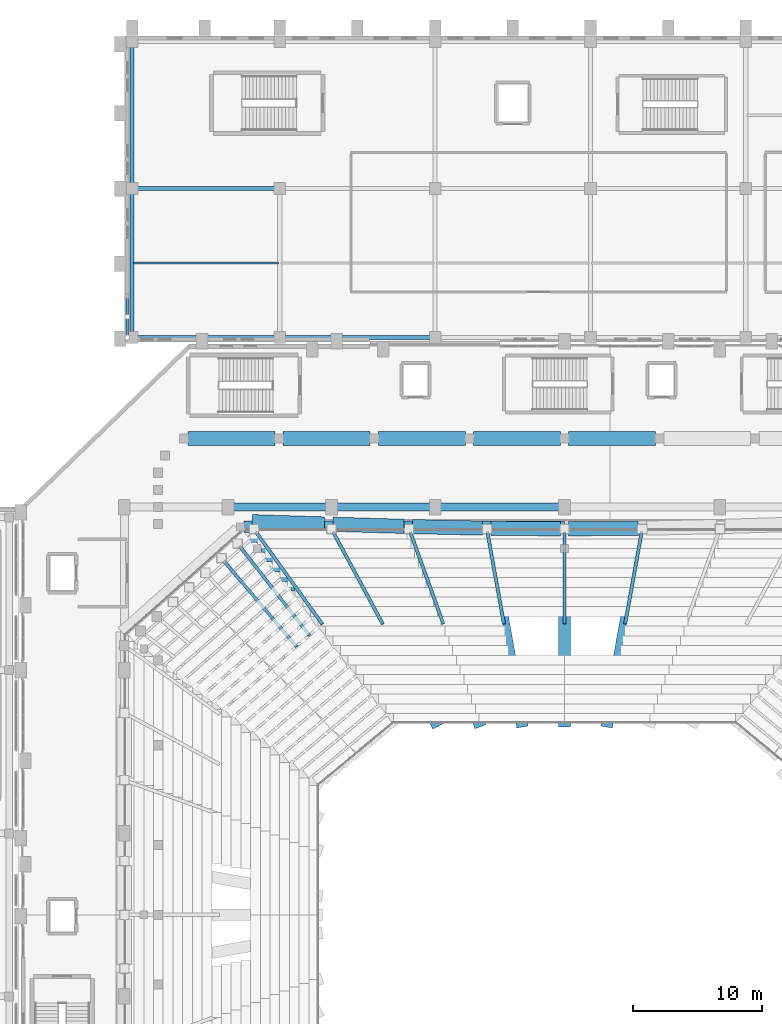
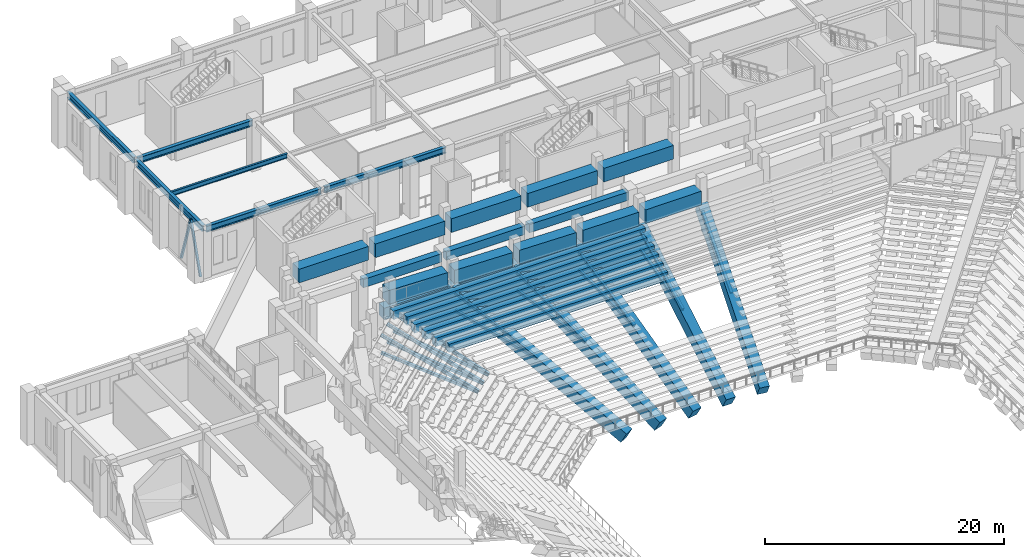
# One storey, part 49 of 159: 31 beams, 18 members.
"""IFC4 building model written with IfcOpenShell, lengths in metres."""

from ifc_helpers import new_model, si_unit, derived_unit, direction, frame, origin, origin_2d, place, context, subcontext, project, spatial, rectangle, hollow_rectangle, i_section, extrude, material, material_profile, profile_set, type_object, element, save


model = new_model("IFC4")

# Units and contexts
model_context = context("Model", 3, precision=1e-05, world=origin(), true_north=direction((0.0, 1.0)))
body_context = subcontext(model_context, "Body", "Model", "MODEL_VIEW")
ifc_project = project(units=[si_unit("LENGTHUNIT", "METRE"), si_unit("AREAUNIT", "SQUARE_METRE"), si_unit("VOLUMEUNIT", "CUBIC_METRE"), si_unit("PLANEANGLEUNIT", "RADIAN"), si_unit("MASSUNIT", "GRAM", prefix="KILO"), derived_unit("THERMALTRANSMITTANCEUNIT", [(si_unit("MASSUNIT", "GRAM", prefix="KILO"), 1), (si_unit("TIMEUNIT", "SECOND"), -3), (si_unit("THERMODYNAMICTEMPERATUREUNIT", "KELVIN"), -1)])], contexts=[model_context])

# Site, building, storey
site_placement = place(None, origin())
site = spatial("IfcSite", under=ifc_project, at=site_placement, CompositionType="ELEMENT")
building_placement = place(site_placement, origin())
building = spatial("IfcBuilding", under=site, at=building_placement, Name="Valcora Ridge Arena", CompositionType="ELEMENT")
storey_placement = place(building_placement, frame((0.0, 0.0, 6.0)))
storey = spatial("IfcBuildingStorey", under=building, at=storey_placement, Name="L01", CompositionType="ELEMENT", Elevation=6.0)

# Beams
ifc_material_1 = material(Name="Concrete C40/50", Category="concrete")
ifc_material_profile_1 = material_profile(ifc_material_1, rectangle(XDim=0.60009765625, YDim=0.85009765625, at=origin_2d()), Name="RC 600x850")
ifc_profile_set_1 = profile_set([ifc_material_profile_1], Name="Concrete C40/50")
beam_type_1 = type_object("IfcBeamType", Name="TY-BEAM-B-RC600-X", PredefinedType="BEAM", material=ifc_profile_set_1)
beam_1_placement = place(storey_placement, frame((58.0, 89.39990234375, 0.135009765625), z_axis=(-1.0, 0.0, 0.0), x_axis=(0.0, -1.0, 0.0)))
element("IfcBeam", 1, at=beam_1_placement, inside=storey, type_object=beam_type_1, Name="B-RC600-X BEM-R2-B-RC600-X-0164", PredefinedType="BEAM", context=body_context, shape_type="SweptSolid", body=[
    extrude(rectangle(XDim=0.60009765625, YDim=0.85009765625, at=origin_2d()), origin(), (0.0, 0.0, 1.0), 21.110107421875),
])
beam_2_placement = place(storey_placement, frame((58.0, 90.14990234375, 0.574951171875), z_axis=(-1.0, 0.0, 0.0), x_axis=(0.0, -1.0, 0.0)))
element("IfcBeam", 2, at=beam_2_placement, inside=storey, type_object=beam_type_1, Name="B-RC600-X BEM-R2-B-RC600-X-0176", PredefinedType="BEAM", context=body_context, shape_type="SweptSolid", body=[
    extrude(rectangle(XDim=0.60009765625, YDim=0.85009765625, at=origin_2d()), origin(), (0.0, 0.0, 1.0), 21.97509765625),
])
beam_3_placement = place(storey_placement, frame((58.0, 90.89990234375, 1.014892578125), z_axis=(-1.0, 0.0, 0.0), x_axis=(0.0, -1.0, 0.0)))
element("IfcBeam", 3, at=beam_3_placement, inside=storey, type_object=beam_type_1, Name="B-RC600-X BEM-R2-B-RC600-X-0188", PredefinedType="BEAM", context=body_context, shape_type="SweptSolid", body=[
    extrude(rectangle(XDim=0.60009765625, YDim=0.85009765625, at=origin_2d()), origin(), (0.0, 0.0, 1.0), 22.56005859375),
])
beam_4_placement = place(storey_placement, frame((58.0, 91.64990234375, 1.455078125), z_axis=(-1.0, 0.0, 0.0), x_axis=(0.0, -1.0, 0.0)))
element("IfcBeam", 4, at=beam_4_placement, inside=storey, type_object=beam_type_1, Name="B-RC600-X BEM-R2-B-RC600-X-0200", PredefinedType="BEAM", context=body_context, shape_type="SweptSolid", body=[
    extrude(rectangle(XDim=0.60009765625, YDim=0.85009765625, at=origin_2d()), origin(), (0.0, 0.0, 1.0), 23.14501953125),
])
beam_5_placement = place(storey_placement, frame((57.719970703125, 92.39990234375, 1.89501953125), z_axis=(-1.0, 0.0, 0.0), x_axis=(0.0, -1.0, 0.0)))
element("IfcBeam", 5, at=beam_5_placement, inside=storey, type_object=beam_type_1, Name="B-RC600-X BEM-R2-B-RC600-X-0212", PredefinedType="BEAM", context=body_context, shape_type="SweptSolid", body=[
    extrude(rectangle(XDim=0.60009765625, YDim=0.85009765625, at=origin_2d()), origin(), (0.0, 0.0, 1.0), 23.169921875),
])
beam_6_placement = place(storey_placement, frame((58.0, 93.14990234375, 2.3349609375), z_axis=(-1.0, 0.0, 0.0), x_axis=(0.0, -1.0, 0.0)))
element("IfcBeam", 6, at=beam_6_placement, inside=storey, type_object=beam_type_1, Name="B-RC600-X BEM-R2-B-RC600-X-0224", PredefinedType="BEAM", context=body_context, shape_type="SweptSolid", body=[
    extrude(rectangle(XDim=0.60009765625, YDim=0.85009765625, at=origin_2d()), origin(), (0.0, 0.0, 1.0), 24.31494140625),
])
ifc_material_profile_2 = material_profile(ifc_material_1, rectangle(XDim=0.60009765625, YDim=0.85009765625, at=origin_2d()), Name="RC 600x850")
ifc_profile_set_2 = profile_set([ifc_material_profile_2], Name="Concrete C40/50")
beam_type_2 = type_object("IfcBeamType", Name="TY-BEAM-EB-RC600", PredefinedType="BEAM", material=ifc_profile_set_2)
for number, where, z_axis, x_axis, name in (
    (7, (32.199951171875, 95.60009765625, 4.614990234375), (1.0, 0.0, 0.0), (0.0, 1.0, 0.0), "EB-RC600 BEM-EB-RC600-0025"),
    (8, (40.199951171875, 95.60009765625, 4.614990234375), (1.0, 0.0, 0.0), (0.0, 1.0, 0.0), "EB-RC600 BEM-EB-RC600-0026"),
):
    element("IfcBeam", number, at=place(storey_placement, frame(where, z_axis=z_axis, x_axis=x_axis)), inside=storey, type_object=beam_type_2, Name=name, PredefinedType="BEAM", context=body_context, shape_type="SweptSolid", body=[
        extrude(rectangle(XDim=0.60009765625, YDim=0.85009765625, at=origin_2d()), origin(), (0.0, 0.0, 1.0), 7.60009765625),
    ])
beam_7_placement = place(storey_placement, frame((48.199951171875, 95.60009765625, 4.614990234375), z_axis=(1.0, 0.0, 0.0), x_axis=(0.0, 1.0, 0.0)))
element("IfcBeam", 9, at=beam_7_placement, inside=storey, type_object=beam_type_2, Name="EB-RC600 BEM-EB-RC600-0027", PredefinedType="BEAM", context=body_context, shape_type="SweptSolid", body=[
    extrude(rectangle(XDim=0.60009765625, YDim=0.85009765625, at=origin_2d()), origin(), (0.0, 0.0, 1.0), 9.60009765625),
])
ifc_material_2 = material(Name="Steel ASTM A572 Grade 50", Category="steel")
ifc_material_profile_3 = material_profile(ifc_material_2, i_section(OverallWidth=0.324951171875, OverallDepth=0.612060546875, WebThickness=0.0126953125, FlangeThickness=0.01904296875, FilletRadius=0.01806640625, at=origin_2d()), Name="W24X104")
ifc_profile_set_3 = profile_set([ifc_material_profile_3], Name="Steel ASTM A572 Grade 50")
beam_type_3 = type_object("IfcBeamType", Name="TY-BEAM-G-W24X104-X", PredefinedType="BEAM", material=ifc_profile_set_3)
beam_8_placement = place(storey_placement, frame((24.739990234375, 108.699951171875, 4.73388671875), z_axis=(1.0, 0.0, 0.0), x_axis=(0.0, 1.0, 0.0)))
element("IfcBeam", 10, at=beam_8_placement, inside=storey, type_object=beam_type_3, Name="G-W24X104-X BEM-G-W24X104-X-0035", PredefinedType="BEAM", context=body_context, shape_type="SweptSolid", body=[
    extrude(i_section(OverallWidth=0.324951171875, OverallDepth=0.612060546875, WebThickness=0.0126953125, FlangeThickness=0.01904296875, FilletRadius=0.01806640625, at=origin_2d()), origin(), (0.0, 0.0, 1.0), 11.1201171875),
])
beam_9_placement = place(storey_placement, frame((36.139892578125, 108.699951171875, 4.73388671875), z_axis=(1.0, 0.0, 0.0), x_axis=(0.0, 1.0, 0.0)))
element("IfcBeam", 11, at=beam_9_placement, inside=storey, type_object=beam_type_3, Name="G-W24X104-X BEM-G-W24X104-X-0036", PredefinedType="BEAM", context=body_context, shape_type="SweptSolid", body=[
    extrude(i_section(OverallWidth=0.324951171875, OverallDepth=0.612060546875, WebThickness=0.0126953125, FlangeThickness=0.01904296875, FilletRadius=0.01806640625, at=origin_2d()), origin(), (0.0, 0.0, 1.0), 11.72021484375),
])
beam_10_placement = place(storey_placement, frame((24.739990234375, 120.199951171875, 4.73388671875), z_axis=(1.0, 0.0, 0.0), x_axis=(0.0, 1.0, 0.0)))
element("IfcBeam", 12, at=beam_10_placement, inside=storey, type_object=beam_type_3, Name="G-W24X104-X BEM-G-W24X104-X-0049", PredefinedType="BEAM", context=body_context, shape_type="SweptSolid", body=[
    extrude(i_section(OverallWidth=0.324951171875, OverallDepth=0.612060546875, WebThickness=0.0126953125, FlangeThickness=0.01904296875, FilletRadius=0.01806640625, at=origin_2d()), origin(), (0.0, 0.0, 1.0), 11.1201171875),
])
ifc_material_profile_4 = material_profile(ifc_material_2, i_section(OverallWidth=0.324951171875, OverallDepth=0.612060546875, WebThickness=0.0126953125, FlangeThickness=0.01904296875, FilletRadius=0.01806640625, at=origin_2d()), Name="W24X104")
ifc_profile_set_4 = profile_set([ifc_material_profile_4], Name="Steel ASTM A572 Grade 50")
beam_type_4 = type_object("IfcBeamType", Name="TY-BEAM-G-W24X104-Y", PredefinedType="BEAM", material=ifc_profile_set_4)
beam_11_placement = place(storey_placement, frame((24.60009765625, 108.840087890625, 4.73388671875), z_axis=(0.0, 1.0, 0.0), x_axis=(-1.0, 0.0, 0.0)))
element("IfcBeam", 13, at=beam_11_placement, inside=storey, type_object=beam_type_4, Name="G-W24X104-Y BEM-G-W24X104-Y-0037", PredefinedType="BEAM", context=body_context, shape_type="SweptSolid", body=[
    extrude(i_section(OverallWidth=0.324951171875, OverallDepth=0.612060546875, WebThickness=0.0126953125, FlangeThickness=0.01904296875, FilletRadius=0.01806640625, at=origin_2d()), origin(), (0.0, 0.0, 1.0), 11.219970703125),
])
beam_12_placement = place(storey_placement, frame((24.60009765625, 120.340087890625, 4.73388671875), z_axis=(0.0, 1.0, 0.0), x_axis=(-1.0, 0.0, 0.0)))
element("IfcBeam", 14, at=beam_12_placement, inside=storey, type_object=beam_type_4, Name="G-W24X104-Y BEM-G-W24X104-Y-0038", PredefinedType="BEAM", context=body_context, shape_type="SweptSolid", body=[
    extrude(i_section(OverallWidth=0.324951171875, OverallDepth=0.612060546875, WebThickness=0.0126953125, FlangeThickness=0.01904296875, FilletRadius=0.01806640625, at=origin_2d()), origin(), (0.0, 0.0, 1.0), 11.06982421875),
])
ifc_material_profile_5 = material_profile(ifc_material_2, i_section(OverallWidth=0.18994140625, OverallDepth=0.45703125, WebThickness=0.009033203125, FlangeThickness=0.014404296875, FilletRadius=0.014892578125, at=origin_2d()), Name="W18X50")
ifc_profile_set_5 = profile_set([ifc_material_profile_5], Name="Steel ASTM A572 Grade 50")
beam_type_5 = type_object("IfcBeamType", Name="TY-BEAM-J-W18X50", PredefinedType="JOIST", material=ifc_profile_set_5)
beam_13_placement = place(storey_placement, frame((24.699951171875, 114.449951171875, 4.8115234375), z_axis=(1.0, 0.0, 0.0), x_axis=(0.0, 1.0, 0.0)))
element("IfcBeam", 15, at=beam_13_placement, inside=storey, type_object=beam_type_5, Name="J-W18X50 BEM-J-W18X50-0027", PredefinedType="JOIST", context=body_context, shape_type="SweptSolid", body=[
    extrude(i_section(OverallWidth=0.18994140625, OverallDepth=0.45703125, WebThickness=0.009033203125, FlangeThickness=0.014404296875, FilletRadius=0.014892578125, at=origin_2d()), origin(), (0.0, 0.0, 1.0), 11.199951171875),
])
ifc_material_profile_6 = material_profile(ifc_material_1, rectangle(XDim=0.89990234375, YDim=1.199951171875, at=origin_2d()), Name="RC 900x1200")
ifc_profile_set_6 = profile_set([ifc_material_profile_6], Name="Concrete C40/50")
beam_type_6 = type_object("IfcBeamType", Name="TY-BEAM-RKR-LOW-1200", PredefinedType="USERDEFINED", material=ifc_profile_set_6)
beam_14_placement = place(storey_placement, frame((61.300048828125, 78.89990234375, -6.489990234375), z_axis=(0.15341359823, 0.852313181593, 0.500026507658), x_axis=(-0.984183882541, 0.177149895134, 0.0)))
element("IfcBeam", 16, at=beam_14_placement, inside=storey, type_object=beam_type_6, Name="RKR-LOW-1200 BEM-RK-RKR-LOW-1200-0034", ObjectType="RAKER", PredefinedType="USERDEFINED", context=body_context, shape_type="SweptSolid", body=[
    extrude(rectangle(XDim=0.89990234375, YDim=1.199951171875, at=origin_2d()), origin(), (0.0, 0.0, 1.0), 17.59912109375),
])
beam_15_placement = place(storey_placement, frame((58.0, 78.89990234375, -6.489990234375), z_axis=(0.0, 0.862523680345, 0.506016700163), x_axis=(-1.0, 0.0, 0.0)))
element("IfcBeam", 17, at=beam_15_placement, inside=storey, type_object=beam_type_6, Name="RKR-LOW-1200 BEM-RK-RKR-LOW-1200-0035", ObjectType="RAKER", PredefinedType="USERDEFINED", context=body_context, shape_type="SweptSolid", body=[
    extrude(rectangle(XDim=0.89990234375, YDim=1.199951171875, at=origin_2d()), origin(), (0.0, 0.0, 1.0), 17.390869140625),
])
beam_16_placement = place(storey_placement, frame((54.699951171875, 78.89990234375, -6.489990234375), z_axis=(-0.15341359823, 0.852313181593, 0.500026507658), x_axis=(-0.984183882541, -0.177149895134, 0.0)))
element("IfcBeam", 18, at=beam_16_placement, inside=storey, type_object=beam_type_6, Name="RKR-LOW-1200 BEM-RK-RKR-LOW-1200-0036", ObjectType="RAKER", PredefinedType="USERDEFINED", context=body_context, shape_type="SweptSolid", body=[
    extrude(rectangle(XDim=0.89990234375, YDim=1.199951171875, at=origin_2d()), origin(), (0.0, 0.0, 1.0), 17.59912109375),
])
beam_17_placement = place(storey_placement, frame((51.39990234375, 78.89990234375, -6.489990234375), z_axis=(-0.296536920199, 0.823728563931, 0.483256772248), x_axis=(-0.940889364057, -0.338714045479, 0.0)))
element("IfcBeam", 19, at=beam_17_placement, inside=storey, type_object=beam_type_6, Name="RKR-LOW-1200 BEM-RK-RKR-LOW-1200-0037", ObjectType="RAKER", PredefinedType="USERDEFINED", context=body_context, shape_type="SweptSolid", body=[
    extrude(rectangle(XDim=0.89990234375, YDim=1.199951171875, at=origin_2d()), origin(), (0.0, 0.0, 1.0), 18.2099609375),
])
beam_18_placement = place(storey_placement, frame((48.10009765625, 78.89990234375, -6.489990234375), z_axis=(-0.422216696468, 0.781873344716, 0.458701574061), x_axis=(-0.879903002625, -0.475153349953, 0.0)))
element("IfcBeam", 20, at=beam_18_placement, inside=storey, type_object=beam_type_6, Name="RKR-LOW-1200 BEM-RK-RKR-LOW-1200-0038", ObjectType="RAKER", PredefinedType="USERDEFINED", context=body_context, shape_type="SweptSolid", body=[
    extrude(rectangle(XDim=0.89990234375, YDim=1.199951171875, at=origin_2d()), origin(), (0.0, 0.0, 1.0), 19.184814453125),
])
ifc_material_3 = material(Name="Concrete C45/55", Category="concrete")
ifc_material_profile_7 = material_profile(ifc_material_3, rectangle(XDim=0.89990234375, YDim=1.199951171875, at=origin_2d()), Name="RC 900x1200")
ifc_profile_set_7 = profile_set([ifc_material_profile_7], Name="Concrete C45/55")
beam_type_7 = type_object("IfcBeamType", Name="TY-BEAM-RKR-RING-850", PredefinedType="USERDEFINED", material=ifc_profile_set_7)
beam_19_placement = place(storey_placement, frame((58.0, 94.080078125, 2.159912109375), z_axis=(-1.0, 0.0, 0.0), x_axis=(0.0, -1.0, 0.0)))
element("IfcBeam", 21, at=beam_19_placement, inside=storey, type_object=beam_type_7, Name="RKR-RING-850 BEM-R2-RKR-RING-850-0010", ObjectType="RAKER", PredefinedType="USERDEFINED", context=body_context, shape_type="SweptSolid", body=[
    extrude(rectangle(XDim=0.89990234375, YDim=1.199951171875, at=origin_2d()), origin(), (0.0, 0.0, 1.0), 24.760498046875),
])
ifc_material_profile_8 = material_profile(ifc_material_3, rectangle(XDim=1.10009765625, YDim=1.39990234375, at=origin_2d()), Name="RC 1100x1400")
ifc_profile_set_8 = profile_set([ifc_material_profile_8], Name="Concrete C45/55")
beam_type_8 = type_object("IfcBeamType", Name="TY-BEAM-RKR-URING-1100", PredefinedType="USERDEFINED", material=ifc_profile_set_8)
for number, where, z_axis, x_axis, name in (
    (22, (63.6923828125, 93.9619140625, 3.47509765625), (-0.999966916476, -0.008134245765, 0.0), (0.008134245765, -0.999966916476, 0.0), "RKR-URING-1100 BEM-RU2-RKR-URING-1100-0025"),
    (23, (57.679931640625, 93.918212890625, 3.47509765625), (-0.999966916476, 0.008134245765, 0.0), (-0.008134245765, -0.999966916476, 0.0), "RKR-URING-1100 BEM-RU2-RKR-URING-1100-0026"),
):
    element("IfcBeam", number, at=place(storey_placement, frame(where, z_axis=z_axis, x_axis=x_axis)), inside=storey, type_object=beam_type_8, Name=name, ObjectType="RAKER", PredefinedType="USERDEFINED", context=body_context, shape_type="SweptSolid", body=[
        extrude(rectangle(XDim=1.10009765625, YDim=1.39990234375, at=origin_2d()), origin(), (0.0, 0.0, 1.0), 5.37255859375),
    ])
beam_20_placement = place(storey_placement, frame((51.66748046875, 93.9716796875, 3.47509765625), z_axis=(-0.999760781893, 0.02187187666, 0.0), x_axis=(-0.02187187666, -0.999760781893, 0.0)))
element("IfcBeam", 24, at=beam_20_placement, inside=storey, type_object=beam_type_8, Name="RKR-URING-1100 BEM-RU2-RKR-URING-1100-0027", ObjectType="RAKER", PredefinedType="USERDEFINED", context=body_context, shape_type="SweptSolid", body=[
    extrude(rectangle(XDim=1.10009765625, YDim=1.39990234375, at=origin_2d()), origin(), (0.0, 0.0, 1.0), 5.4248046875),
])
beam_21_placement = place(storey_placement, frame((45.60400390625, 94.106689453125, 3.47509765625), z_axis=(-0.999554744267, 0.029838116784, 0.0), x_axis=(-0.029838116784, -0.999554744267, 0.0)))
element("IfcBeam", 25, at=beam_21_placement, inside=storey, type_object=beam_type_8, Name="RKR-URING-1100 BEM-RU2-RKR-URING-1100-0028", ObjectType="RAKER", PredefinedType="USERDEFINED", context=body_context, shape_type="SweptSolid", body=[
    extrude(rectangle(XDim=1.10009765625, YDim=1.39990234375, at=origin_2d()), origin(), (0.0, 0.0, 1.0), 5.506591796875),
])
beam_22_placement = place(storey_placement, frame((39.460205078125, 94.290771484375, 3.47509765625), z_axis=(-0.999483467734, 0.032137170478, 0.0), x_axis=(-0.032137170478, -0.999483467734, 0.0)))
element("IfcBeam", 26, at=beam_22_placement, inside=storey, type_object=beam_type_8, Name="RKR-URING-1100 BEM-RU2-RKR-URING-1100-0029", ObjectType="RAKER", PredefinedType="USERDEFINED", context=body_context, shape_type="SweptSolid", body=[
    extrude(rectangle(XDim=1.10009765625, YDim=1.39990234375, at=origin_2d()), origin(), (0.0, 0.0, 1.0), 5.59130859375),
])
ifc_material_profile_9 = material_profile(ifc_material_3, rectangle(XDim=1.10009765625, YDim=1.39990234375, at=origin_2d()), Name="RC 1100x1400")
ifc_profile_set_9 = profile_set([ifc_material_profile_9], Name="Concrete C45/55")
beam_type_9 = type_object("IfcBeamType", Name="TY-BEAM-RKR-URING-1200", PredefinedType="USERDEFINED", material=ifc_profile_set_9)
for number, where, z_axis, x_axis, name in (
    (27, (65.030029296875, 100.89990234375, 3.47509765625), (-1.0, 0.0, 0.0), (0.0, -1.0, 0.0), "RKR-URING-1200 BEM-RU2-RKR-URING-1200-0012"),
    (28, (57.679931640625, 100.89990234375, 3.47509765625), (-1.0, 0.0, 0.0), (0.0, -1.0, 0.0), "RKR-URING-1200 BEM-RU2-RKR-URING-1200-0013"),
    (29, (50.330078125, 100.89990234375, 3.47509765625), (-1.0, 0.0, 0.0), (0.0, -1.0, 0.0), "RKR-URING-1200 BEM-RU2-RKR-URING-1200-0014"),
    (30, (42.97998046875, 100.89990234375, 3.47509765625), (-1.0, 0.0, 0.0), (0.0, -1.0, 0.0), "RKR-URING-1200 BEM-RU2-RKR-URING-1200-0015"),
    (31, (35.6298828125, 100.89990234375, 3.47509765625), (-1.0, 0.0, 0.0), (0.0, -1.0, 0.0), "RKR-URING-1200 BEM-RU2-RKR-URING-1200-0016"),
):
    element("IfcBeam", number, at=place(storey_placement, frame(where, z_axis=z_axis, x_axis=x_axis)), inside=storey, type_object=beam_type_9, Name=name, ObjectType="RAKER", PredefinedType="USERDEFINED", context=body_context, shape_type="SweptSolid", body=[
        extrude(rectangle(XDim=1.10009765625, YDim=1.39990234375, at=origin_2d()), origin(), (0.0, 0.0, 1.0), 6.7099609375),
    ])

# Members
ifc_material_4 = material(Name="Steel ASTM A500 Grade C", Category="steel")
ifc_material_profile_10 = material_profile(ifc_material_4, hollow_rectangle(XDim=0.199951171875, YDim=0.199951171875, WallThickness=0.012451171875, at=origin_2d()), Name="HSS200X200X12")
ifc_profile_set_10 = profile_set([ifc_material_profile_10], Name="Steel ASTM A500 Grade C")
member_type_1 = type_object("IfcMemberType", Name="TY-MEMBER-CBF-200A", PredefinedType="BRACE", material=ifc_profile_set_10)
member_1_placement = place(storey_placement, frame((24.219970703125, 108.699951171875, 0.02001953125), z_axis=(0.0, 0.312732787786, 0.949841146426), x_axis=(-1.0, 0.0, 0.0)))
element("IfcMember", 32, at=member_1_placement, inside=storey, type_object=member_type_1, Name="CBF-200A Diagonal Brace", PredefinedType="BRACE", context=body_context, shape_type="SweptSolid", body=[
    extrude(hollow_rectangle(XDim=0.199951171875, YDim=0.199951171875, WallThickness=0.012451171875, at=origin_2d()), origin(), (0.0, 0.0, 1.0), 5.116455078125),
])
ifc_material_profile_11 = material_profile(ifc_material_4, hollow_rectangle(XDim=0.199951171875, YDim=0.199951171875, WallThickness=0.012451171875, at=origin_2d()), Name="HSS200X200X12")
ifc_profile_set_11 = profile_set([ifc_material_profile_11], Name="Steel ASTM A500 Grade C")
member_type_2 = type_object("IfcMemberType", Name="TY-MEMBER-CBF-200B", PredefinedType="BRACE", material=ifc_profile_set_11)
member_2_placement = place(storey_placement, frame((24.219970703125, 111.89990234375, 0.02001953125), z_axis=(0.0, -0.312689737241, 0.949855319627), x_axis=(1.0, 0.0, 0.0)))
element("IfcMember", 33, at=member_2_placement, inside=storey, type_object=member_type_2, Name="CBF-200B Diagonal Brace", PredefinedType="BRACE", context=body_context, shape_type="SweptSolid", body=[
    extrude(hollow_rectangle(XDim=0.199951171875, YDim=0.199951171875, WallThickness=0.012451171875, at=origin_2d()), origin(), (0.0, 0.0, 1.0), 5.116455078125),
])
ifc_material_profile_12 = material_profile(ifc_material_4, hollow_rectangle(XDim=0.25, YDim=0.25, WallThickness=0.012451171875, at=origin_2d()), Name="HSS250X250X12")
ifc_profile_set_12 = profile_set([ifc_material_profile_12], Name="Steel ASTM A500 Grade C")
member_type_3 = type_object("IfcMemberType", Name="TY-MEMBER-RKRC-253", PredefinedType="CHORD", material=ifc_profile_set_12)
member_3_placement = place(storey_placement, frame((62.69091796875, 86.627685546875, -1.836181640625), z_axis=(0.170793762915, 0.948821177296, 0.265646125634), x_axis=(-0.984182247724, 0.177158977377, 0.0)))
element("IfcMember", 34, at=member_3_placement, inside=storey, type_object=member_type_3, Name="RKRC-253 MBR-RK-RKRC-253-0034", PredefinedType="CHORD", context=body_context, shape_type="SweptSolid", body=[
    extrude(hollow_rectangle(XDim=0.25, YDim=0.25, WallThickness=0.012451171875, at=origin_2d()), origin(), (0.0, 0.0, 1.0), 7.384521484375),
])
member_4_placement = place(storey_placement, frame((58.0, 86.631103515625, -1.835205078125), z_axis=(0.0, 0.962966810451, 0.269619958404), x_axis=(-1.0, 0.0, 0.0)))
element("IfcMember", 35, at=member_4_placement, inside=storey, type_object=member_type_3, Name="RKRC-253 MBR-RK-RKRC-253-0035", PredefinedType="CHORD", context=body_context, shape_type="SweptSolid", body=[
    extrude(hollow_rectangle(XDim=0.25, YDim=0.25, WallThickness=0.012451171875, at=origin_2d()), origin(), (0.0, 0.0, 1.0), 7.2685546875),
])
member_5_placement = place(storey_placement, frame((53.30908203125, 86.627685546875, -1.836181640625), z_axis=(-0.170793762915, 0.948821177296, 0.265646125634), x_axis=(-0.984182247724, -0.177158977377, 0.0)))
element("IfcMember", 36, at=member_5_placement, inside=storey, type_object=member_type_3, Name="RKRC-253 MBR-RK-RKRC-253-0036", PredefinedType="CHORD", context=body_context, shape_type="SweptSolid", body=[
    extrude(hollow_rectangle(XDim=0.25, YDim=0.25, WallThickness=0.012451171875, at=origin_2d()), origin(), (0.0, 0.0, 1.0), 7.384521484375),
])
member_6_placement = place(storey_placement, frame((48.621337890625, 86.618408203125, -1.8388671875), z_axis=(-0.327528756284, 0.909847762124, 0.254758637862), x_axis=(-0.940892829266, -0.338704419569, 0.0)))
element("IfcMember", 37, at=member_6_placement, inside=storey, type_object=member_type_3, Name="RKRC-253 MBR-RK-RKRC-253-0037", PredefinedType="CHORD", context=body_context, shape_type="SweptSolid", body=[
    extrude(hollow_rectangle(XDim=0.25, YDim=0.25, WallThickness=0.012451171875, at=origin_2d()), origin(), (0.0, 0.0, 1.0), 7.72314453125),
])
member_7_placement = place(storey_placement, frame((43.939208984375, 86.60498046875, -1.842529296875), z_axis=(-0.461341483015, 0.85436564146, 0.239214102304), x_axis=(-0.879912271193, -0.475136185746, 0.0)))
element("IfcMember", 38, at=member_7_placement, inside=storey, type_object=member_type_3, Name="RKRC-253 MBR-RK-RKRC-253-0038", PredefinedType="CHORD", context=body_context, shape_type="SweptSolid", body=[
    extrude(hollow_rectangle(XDim=0.25, YDim=0.25, WallThickness=0.012451171875, at=origin_2d()), origin(), (0.0, 0.0, 1.0), 8.258544921875),
])
member_8_placement = place(storey_placement, frame((39.26318359375, 86.58984375, -1.8466796875), z_axis=(-0.569779115375, 0.791367453476, 0.221561082463), x_axis=(-0.811536992157, -0.584301044293, 0.0)))
element("IfcMember", 39, at=member_8_placement, inside=storey, type_object=member_type_3, Name="RKRC-253 MBR-RK-RKRC-253-0039", PredefinedType="CHORD", context=body_context, shape_type="SweptSolid", body=[
    extrude(hollow_rectangle(XDim=0.25, YDim=0.25, WallThickness=0.012451171875, at=origin_2d()), origin(), (0.0, 0.0, 1.0), 8.95751953125),
])
member_9_placement = place(storey_placement, frame((38.268310546875, 85.7216796875, -1.846435546875), z_axis=(-0.600703415126, 0.767806090065, 0.222776154729), x_axis=(-0.787598742153, -0.616188462533, 0.0)))
element("IfcMember", 40, at=member_9_placement, inside=storey, type_object=member_type_3, Name="RKRC-253 MBR-RK-RKRC-253-0040", PredefinedType="CHORD", context=body_context, shape_type="SweptSolid", body=[
    extrude(hollow_rectangle(XDim=0.25, YDim=0.25, WallThickness=0.012451171875, at=origin_2d()), origin(), (0.0, 0.0, 1.0), 8.906494140625),
])
member_10_placement = place(storey_placement, frame((37.273681640625, 84.853271484375, -1.84619140625), z_axis=(-0.63102107054, 0.742829471348, 0.223644327072), x_axis=(-0.762133689786, -0.647419677561, 0.0)))
element("IfcMember", 41, at=member_10_placement, inside=storey, type_object=member_type_3, Name="RKRC-253 MBR-RK-RKRC-253-0041", PredefinedType="CHORD", context=body_context, shape_type="SweptSolid", body=[
    extrude(hollow_rectangle(XDim=0.25, YDim=0.25, WallThickness=0.012451171875, at=origin_2d()), origin(), (0.0, 0.0, 1.0), 8.86962890625),
])
ifc_material_profile_13 = material_profile(ifc_material_4, hollow_rectangle(XDim=0.25, YDim=0.25, WallThickness=0.012451171875, at=origin_2d()), Name="HSS250X250X12")
ifc_profile_set_13 = profile_set([ifc_material_profile_13], Name="Steel ASTM A500 Grade C")
member_type_4 = type_object("IfcMemberType", Name="TY-MEMBER-RKRD-253", PredefinedType="BRACE", material=ifc_profile_set_13)
member_11_placement = place(storey_placement, frame((62.687744140625, 86.6103515625, -1.74072265625), z_axis=(0.157709168216, 0.876114813191, 0.455577273762), x_axis=(-0.984181658786, 0.177162249107, 0.0)))
element("IfcMember", 42, at=member_11_placement, inside=storey, type_object=member_type_4, Name="RKRD-253 Raker Diagonal Brace", PredefinedType="BRACE", context=body_context, shape_type="SweptSolid", body=[
    extrude(hollow_rectangle(XDim=0.25, YDim=0.25, WallThickness=0.012451171875, at=origin_2d()), origin(), (0.0, 0.0, 1.0), 8.04052734375),
])
member_12_placement = place(storey_placement, frame((58.0, 86.61279296875, -1.7392578125), z_axis=(0.0, 0.887218312753, 0.461349829864), x_axis=(-1.0, 0.0, 0.0)))
element("IfcMember", 43, at=member_12_placement, inside=storey, type_object=member_type_4, Name="RKRD-253 Raker Diagonal Brace", PredefinedType="BRACE", context=body_context, shape_type="SweptSolid", body=[
    extrude(hollow_rectangle(XDim=0.25, YDim=0.25, WallThickness=0.012451171875, at=origin_2d()), origin(), (0.0, 0.0, 1.0), 7.93359375),
])
member_13_placement = place(storey_placement, frame((53.312255859375, 86.6103515625, -1.74072265625), z_axis=(-0.157709168216, 0.876114813191, 0.455577273762), x_axis=(-0.984181658786, -0.177162249107, 0.0)))
element("IfcMember", 44, at=member_13_placement, inside=storey, type_object=member_type_4, Name="RKRD-253 Raker Diagonal Brace", PredefinedType="BRACE", context=body_context, shape_type="SweptSolid", body=[
    extrude(hollow_rectangle(XDim=0.25, YDim=0.25, WallThickness=0.012451171875, at=origin_2d()), origin(), (0.0, 0.0, 1.0), 8.04052734375),
])
member_14_placement = place(storey_placement, frame((48.626953125, 86.602783203125, -1.744384765625), z_axis=(-0.304251791003, 0.845160099491, 0.439471562107), x_axis=(-0.940889485562, -0.338713707959, 0.0)))
element("IfcMember", 45, at=member_14_placement, inside=storey, type_object=member_type_4, Name="RKRD-253 Raker Diagonal Brace", PredefinedType="BRACE", context=body_context, shape_type="SweptSolid", body=[
    extrude(hollow_rectangle(XDim=0.25, YDim=0.25, WallThickness=0.012451171875, at=origin_2d()), origin(), (0.0, 0.0, 1.0), 8.35400390625),
])
member_15_placement = place(storey_placement, frame((43.9462890625, 86.592041015625, -1.75), z_axis=(-0.432056369085, 0.800137069528, 0.416062451924), x_axis=(-0.879913511774, -0.475133888285, 0.0)))
element("IfcMember", 46, at=member_15_placement, inside=storey, type_object=member_type_4, Name="RKRD-253 Raker Diagonal Brace", PredefinedType="BRACE", context=body_context, shape_type="SweptSolid", body=[
    extrude(hollow_rectangle(XDim=0.25, YDim=0.25, WallThickness=0.012451171875, at=origin_2d()), origin(), (0.0, 0.0, 1.0), 8.853515625),
])
member_16_placement = place(storey_placement, frame((39.270751953125, 86.579345703125, -1.756591796875), z_axis=(-0.538333835895, 0.747691587447, 0.388785250737), x_axis=(-0.811536455245, -0.58430179001, 0.0)))
element("IfcMember", 47, at=member_16_placement, inside=storey, type_object=member_type_4, Name="RKRD-253 Raker Diagonal Brace", PredefinedType="BRACE", context=body_context, shape_type="SweptSolid", body=[
    extrude(hollow_rectangle(XDim=0.25, YDim=0.25, WallThickness=0.012451171875, at=origin_2d()), origin(), (0.0, 0.0, 1.0), 9.510986328125),
])
member_17_placement = place(storey_placement, frame((38.2763671875, 85.71142578125, -1.756103515625), z_axis=(-0.56723559098, 0.725001698451, 0.390661389913), x_axis=(-0.787587793591, -0.616202456492, 0.0)))
element("IfcMember", 48, at=member_17_placement, inside=storey, type_object=member_type_4, Name="RKRD-253 Raker Diagonal Brace", PredefinedType="BRACE", context=body_context, shape_type="SweptSolid", body=[
    extrude(hollow_rectangle(XDim=0.25, YDim=0.25, WallThickness=0.012451171875, at=origin_2d()), origin(), (0.0, 0.0, 1.0), 9.462890625),
])
member_18_placement = place(storey_placement, frame((37.281982421875, 84.84326171875, -1.755859375), z_axis=(-0.595587341236, 0.701135776144, 0.392025946042), x_axis=(-0.762142078554, -0.647409802287, 0.0)))
element("IfcMember", 49, at=member_18_placement, inside=storey, type_object=member_type_4, Name="RKRD-253 Raker Diagonal Brace", PredefinedType="BRACE", context=body_context, shape_type="SweptSolid", body=[
    extrude(hollow_rectangle(XDim=0.25, YDim=0.25, WallThickness=0.012451171875, at=origin_2d()), origin(), (0.0, 0.0, 1.0), 9.427978515625),
])

save(model, "model.ifc")
